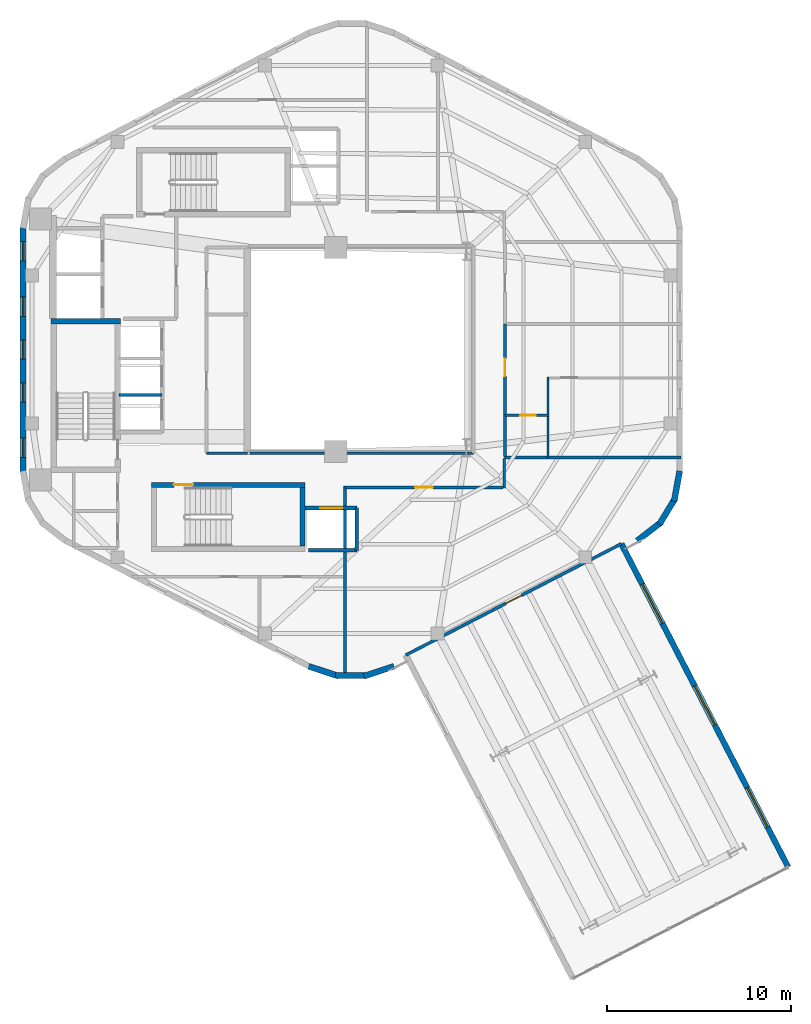
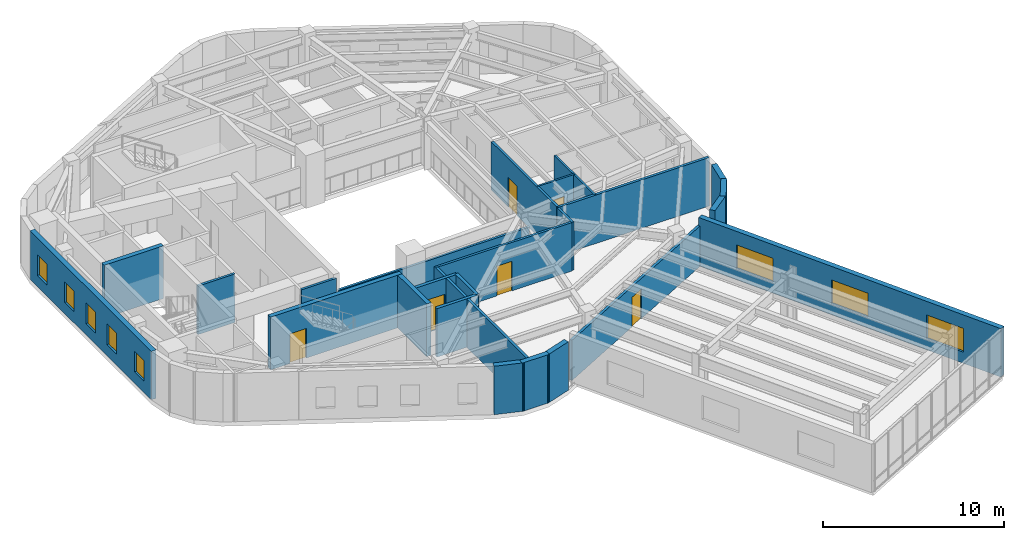
# One storey, part 7 of 10: 25 walls, 8 windows, 6 doors, 14 openings.
"""IFC4 building model written with IfcOpenShell, lengths in metres."""

from ifc_helpers import new_model, si_unit, direction, frame, frame_2d, origin, place, context, subcontext, project, spatial, rectangle, extrude, material, layer, layer_set, type_object, element, fill, save


model = new_model("IFC4")

# Units and contexts
model_context = context("Model", 3, precision=1e-05, world=origin(), true_north=direction((0.0, 1.0)))
body_context = subcontext(model_context, "Body", "Model", "MODEL_VIEW")
ifc_project = project(units=[si_unit("LENGTHUNIT", "METRE"), si_unit("AREAUNIT", "SQUARE_METRE"), si_unit("VOLUMEUNIT", "CUBIC_METRE"), si_unit("PLANEANGLEUNIT", "RADIAN"), si_unit("MASSUNIT", "GRAM", prefix="KILO"), si_unit("THERMODYNAMICTEMPERATUREUNIT", "KELVIN"), si_unit("POWERUNIT", "WATT")], contexts=[model_context])

# Site, building, storey
site_placement = place(None, origin())
site = spatial("IfcSite", under=ifc_project, at=site_placement, CompositionType="ELEMENT")
building_placement = place(site_placement, origin())
building = spatial("IfcBuilding", under=site, at=building_placement, Name="Skarre Station Tower", CompositionType="ELEMENT")
storey_placement = place(building_placement, frame((0.0, 0.0, 238.35009765625)))
storey = spatial("IfcBuildingStorey", under=building, at=storey_placement, Name="L65", CompositionType="ELEMENT", Elevation=238.35009765625)

# Walls
ifc_material_1 = material(Name="Acoustic Steel-Stud Gypsum Partition", Category="steel")
ifc_layer_1 = layer(ifc_material_1, 0.14990234375, Name="Acoustic Steel-Stud Gypsum Partition")
ifc_layer_set_1 = layer_set([ifc_layer_1], Name="Acoustic Steel-Stud Gypsum Partition")
wall_type_1 = type_object("IfcWallType", Name="Fire-Rated Corridor Acoustic Partition 150", PredefinedType="PARTITIONING", material=ifc_layer_set_1)
wall_1_placement = place(storey_placement, frame((25.320068359375, 18.360107421875, 0.0), z_axis=(0.0, 0.0, 1.0), x_axis=(1.0, 0.0, 0.0)))
element("IfcWall", 1, at=wall_1_placement, inside=storey, type_object=wall_type_1, Name="L65 Interior Partition WL-PT-L65-RC2-S", PredefinedType="PARTITIONING", context=body_context, shape_type="SweptSolid", body=[
    extrude(rectangle(XDim=2.22998046875, YDim=0.14990234375, at=frame_2d((1.114990234375, 0.0))), origin(), (0.0, 0.0, 1.0), 3.260009765625),
])
wall_2_placement = place(storey_placement, frame((27.675048828125, 18.360107421875, 0.0), z_axis=(0.0, 0.0, 1.0), x_axis=(1.0, 0.0, 0.0)))
element("IfcWall", 2, at=wall_2_placement, inside=storey, type_object=wall_type_1, Name="L65 Interior Partition WL-PT-L65-ATRW-S", PredefinedType="PARTITIONING", context=body_context, shape_type="SweptSolid", body=[
    extrude(rectangle(XDim=12.1650390625, YDim=0.14990234375, at=frame_2d((6.08251953125, 0.0))), origin(), (0.0, 0.0, 1.0), 2.40087890625),
])

# Wall, opening, door
wall_3_placement = place(storey_placement, frame((41.56005859375, 18.179931640625, 0.0), z_axis=(0.0, 0.0, 1.0), x_axis=(0.0, 1.0, 0.0)))
wall_3 = element("IfcWall", 3, at=wall_3_placement, inside=storey, type_object=wall_type_1, Name="L65 Interior Partition WL-PT-L65-EW1-CW", PredefinedType="PARTITIONING", context=body_context, shape_type="SweptSolid", body=[
    extrude(rectangle(XDim=7.198974609375, YDim=0.14990234375, at=frame_2d((3.599609375, 0.0))), origin(), (0.0, 0.0, 1.0), 3.260009765625),
])
opening_1_placement = place(wall_3_placement, frame((4.3701171875, 0.0, 0.0)))
opening_1 = element("IfcOpeningElement", 4, at=opening_1_placement, cuts=wall_3, Name="Opening DR-FD60", PredefinedType="OPENING", context=body_context, shape_type="SweptSolid", body=[
    extrude(rectangle(XDim=0.9599609375, YDim=2.0, at=frame_2d((0.47998046875, 1.0))), frame((0.0, 0.0849609375, 0.0), z_axis=(0.0, -1.0, 0.0), x_axis=(1.0, 0.0, 0.0)), (0.0, 0.0, 1.0), 0.169921875),
])
ifc_material_2 = material(Name="Nordic White-Oak Veneer Solid-Core Fire Leaf", Category="wood")
door_type_1 = type_object("IfcDoorType", Name="Corridor Suite Entry Fire Door FD60 960x2150", OperationType="SINGLE_SWING_LEFT", PredefinedType="DOOR", material=ifc_material_2)
door_1_placement = place(opening_1_placement, origin())
door_1 = element("IfcDoor", 5, at=door_1_placement, inside=storey, type_object=door_type_1, Name="L65 EW1 Entry Door", OperationType="SINGLE_SWING_LEFT", OverallHeight=2.0, OverallWidth=0.9599609375, PredefinedType="DOOR", context=body_context, shape_type="SweptSolid", body=[
    extrude(rectangle(XDim=0.9599609375, YDim=2.0, at=frame_2d((0.47998046875, 1.0))), frame((0.0, 0.02490234375, 0.0), z_axis=(0.0, -1.0, 0.0), x_axis=(1.0, 0.0, 0.0)), (0.0, 0.0, 1.0), 0.050048828125),
])
fill(opening_1, door_1)

# Wall
wall_4_placement = place(storey_placement, frame((41.52001953125, 16.4599609375, 0.0), z_axis=(0.0, 0.0, 1.0), x_axis=(0.0, 1.0, 0.0)))
element("IfcWall", 6, at=wall_4_placement, inside=storey, type_object=wall_type_1, Name="L65 Interior Partition WL-PT-L65-CORR-SER", PredefinedType="PARTITIONING", context=body_context, shape_type="SweptSolid", body=[
    extrude(rectangle(XDim=1.60205078125, YDim=0.14990234375, at=frame_2d((0.801025390625, 0.0))), origin(), (0.0, 0.0, 1.0), 3.260009765625),
])

# Wall, opening, door
wall_5_placement = place(storey_placement, frame((32.85009765625, 16.5, 0.0), z_axis=(0.0, 0.0, 1.0), x_axis=(1.0, 0.0, 0.0)))
wall_5 = element("IfcWall", 7, at=wall_5_placement, inside=storey, type_object=wall_type_1, Name="L65 Interior Partition WL-PT-L65-SW1-CW", PredefinedType="PARTITIONING", context=body_context, shape_type="SweptSolid", body=[
    extrude(rectangle(XDim=8.60986328125, YDim=0.14990234375, at=frame_2d((4.304931640625, 0.0))), origin(), (0.0, 0.0, 1.0), 3.260009765625),
])
opening_2_placement = place(wall_5_placement, frame((3.824951171875, 0.0, 0.0)))
opening_2 = element("IfcOpeningElement", 8, at=opening_2_placement, cuts=wall_5, Name="Opening DR-FD60", PredefinedType="OPENING", context=body_context, shape_type="SweptSolid", body=[
    extrude(rectangle(XDim=0.9599609375, YDim=2.0, at=frame_2d((0.47998046875, 1.0))), frame((0.0, 0.0849609375, 0.0), z_axis=(0.0, -1.0, 0.0), x_axis=(1.0, 0.0, 0.0)), (0.0, 0.0, 1.0), 0.169921875),
])
door_2_placement = place(opening_2_placement, origin())
door_2 = element("IfcDoor", 9, at=door_2_placement, inside=storey, type_object=door_type_1, Name="L65 SW1 Entry Door", OperationType="SINGLE_SWING_LEFT", OverallHeight=2.0, OverallWidth=0.9599609375, PredefinedType="DOOR", context=body_context, shape_type="SweptSolid", body=[
    extrude(rectangle(XDim=0.9599609375, YDim=2.0, at=frame_2d((0.47998046875, 1.0))), frame((0.0, 0.02490234375, 0.0), z_axis=(0.0, -1.0, 0.0), x_axis=(1.0, 0.0, 0.0)), (0.0, 0.0, 1.0), 0.050048828125),
])
fill(opening_2, door_2)

# Wall
ifc_material_3 = material(Name="Insulated Timber-Stud Gypsum Partition", Category="wood")
ifc_layer_2 = layer(ifc_material_3, 0.1201171875, Name="Insulated Timber-Stud Gypsum Partition")
ifc_layer_set_2 = layer_set([ifc_layer_2], Name="Insulated Timber-Stud Gypsum Partition")
wall_type_2 = type_object("IfcWallType", Name="Internal Suite Acoustic Partition 120", PredefinedType="PARTITIONING", material=ifc_layer_set_2)
wall_6_placement = place(storey_placement, frame((43.89990234375, 18.1298828125, 0.0), z_axis=(0.0, 0.0, 1.0), x_axis=(0.0, 1.0, 0.0)))
element("IfcWall", 10, at=wall_6_placement, inside=storey, type_object=wall_type_2, Name="L65 Interior Partition WL-PT-L65-EW1-BW1", PredefinedType="PARTITIONING", context=body_context, shape_type="SweptSolid", body=[
    extrude(rectangle(XDim=4.38916015625, YDim=0.1201171875, at=frame_2d((2.194580078125, 0.0))), origin(), (0.0, 0.0, 1.0), 3.260009765625),
])

# Wall, opening, door
wall_7_placement = place(storey_placement, frame((43.9599609375, 20.429931640625, 0.0), z_axis=(0.0, 0.0, 1.0), x_axis=(-1.0, 0.0, 0.0)))
wall_7 = element("IfcWall", 11, at=wall_7_placement, inside=storey, type_object=wall_type_2, Name="L65 Interior Partition WL-PT-L65-EW1-BW2", PredefinedType="PARTITIONING", context=body_context, shape_type="SweptSolid", body=[
    extrude(rectangle(XDim=2.409912109375, YDim=0.1201171875, at=frame_2d((1.205078125, 0.0))), origin(), (0.0, 0.0, 1.0), 3.260009765625),
])
opening_3_placement = place(wall_7_placement, frame((0.719970703125, 0.0, 0.0)))
opening_3 = element("IfcOpeningElement", 12, at=opening_3_placement, cuts=wall_7, Name="Opening DR-INT86", PredefinedType="OPENING", context=body_context, shape_type="SweptSolid", body=[
    extrude(rectangle(XDim=0.860107421875, YDim=2.0, at=frame_2d((0.43017578125, 1.0))), frame((0.0, 0.070068359375, 0.0), z_axis=(0.0, -1.0, 0.0), x_axis=(1.0, 0.0, 0.0)), (0.0, 0.0, 1.0), 0.14013671875),
])
ifc_material_4 = material(Name="Nordic Birch Acoustic Solid-Core Timber Leaf", Category="wood")
door_type_2 = type_object("IfcDoorType", Name="Internal En-Suite & Bedroom Door 860x2100", OperationType="SINGLE_SWING_LEFT", PredefinedType="DOOR", material=ifc_material_4)
door_3_placement = place(opening_3_placement, origin())
door_3 = element("IfcDoor", 13, at=door_3_placement, inside=storey, type_object=door_type_2, Name="L65 EW1 Residence Bathroom Door", OperationType="SINGLE_SWING_LEFT", OverallHeight=2.0, OverallWidth=0.860107421875, PredefinedType="DOOR", context=body_context, shape_type="SweptSolid", body=[
    extrude(rectangle(XDim=0.860107421875, YDim=2.0, at=frame_2d((0.43017578125, 1.0))), frame((0.0, 0.02490234375, 0.0), z_axis=(0.0, -1.0, 0.0), x_axis=(1.0, 0.0, 0.0)), (0.0, 0.0, 1.0), 0.050048828125),
])
fill(opening_3, door_3)

# Walls
ifc_material_5 = material(Name="Precast concrete C45/55", Category="concrete")
ifc_layer_3 = layer(ifc_material_5, 0.330078125, Name="Precast concrete C45/55")
ifc_layer_set_3 = layer_set([ifc_layer_3], Name="Precast concrete C45/55")
wall_type_3 = type_object("IfcWallType", Name="Nordic Rounded Corner Precast Wall 330", PredefinedType="STANDARD", material=ifc_layer_set_3)
wall_8_placement = place(storey_placement, frame((35.51806640625, 6.76904296875, 0.0), z_axis=(0.0, 0.0, 1.0), x_axis=(-0.949713440491, -0.313120393699, 0.0)))
element("IfcWall", 14, at=wall_8_placement, inside=storey, type_object=wall_type_3, Name="L65 Rounded Corner Precast Wall F4-1", PredefinedType="STANDARD", context=body_context, shape_type="SweptSolid", body=[
    extrude(rectangle(XDim=1.7216796875, YDim=0.330078125, at=frame_2d((0.86083984375, 0.0))), origin(), (0.0, 0.0, 1.0), 3.260009765625),
])
wall_9_placement = place(storey_placement, frame((34.06103515625, 6.259033203125, 0.0), z_axis=(0.0, 0.0, 1.0), x_axis=(-1.0, 0.0, 0.0)))
element("IfcWall", 15, at=wall_9_placement, inside=storey, type_object=wall_type_3, Name="L65 Rounded Corner Precast Wall F4-2", PredefinedType="STANDARD", context=body_context, shape_type="SweptSolid", body=[
    extrude(rectangle(XDim=1.721923828125, YDim=0.330078125, at=frame_2d((0.86083984375, 0.0))), origin(), (0.0, 0.0, 1.0), 3.260009765625),
])
wall_10_placement = place(storey_placement, frame((32.51708984375, 6.22998046875, 0.0), z_axis=(0.0, 0.0, 1.0), x_axis=(-0.949713440491, 0.313120393699, 0.0)))
element("IfcWall", 16, at=wall_10_placement, inside=storey, type_object=wall_type_3, Name="L65 Rounded Corner Precast Wall F4-3", PredefinedType="STANDARD", context=body_context, shape_type="SweptSolid", body=[
    extrude(rectangle(XDim=1.7216796875, YDim=0.330078125, at=frame_2d((0.86083984375, 0.0))), origin(), (0.0, 0.0, 1.0), 3.260009765625),
])
wall_11_placement = place(storey_placement, frame((51.06201171875, 17.39208984375, 0.0), z_axis=(0.0, 0.0, 1.0), x_axis=(-0.180691763044, -0.983539773862, 0.0)))
element("IfcWall", 17, at=wall_11_placement, inside=storey, type_object=wall_type_3, Name="L65 Rounded Corner Precast Wall F5-1", PredefinedType="STANDARD", context=body_context, shape_type="SweptSolid", body=[
    extrude(rectangle(XDim=1.6767578125, YDim=0.330078125, at=frame_2d((0.83837890625, 0.0))), origin(), (0.0, 0.0, 1.0), 3.260009765625),
])
wall_12_placement = place(storey_placement, frame((50.825927734375, 15.91796875, 0.0), z_axis=(0.0, 0.0, 1.0), x_axis=(-0.520325409202, -0.853968072318, 0.0)))
element("IfcWall", 18, at=wall_12_placement, inside=storey, type_object=wall_type_3, Name="L65 Rounded Corner Precast Wall F5-2", PredefinedType="STANDARD", context=body_context, shape_type="SweptSolid", body=[
    extrude(rectangle(XDim=1.677978515625, YDim=0.330078125, at=frame_2d((0.8388671875, 0.0))), origin(), (0.0, 0.0, 1.0), 3.260009765625),
])
wall_13_placement = place(storey_placement, frame((50.077880859375, 14.625, 0.0), z_axis=(0.0, 0.0, 1.0), x_axis=(-0.790691856293, -0.61221433207, 0.0)))
element("IfcWall", 19, at=wall_13_placement, inside=storey, type_object=wall_type_3, Name="L65 Rounded Corner Precast Wall F5-3", PredefinedType="STANDARD", context=body_context, shape_type="SweptSolid", body=[
    extrude(rectangle(XDim=1.67578125, YDim=0.330078125, at=frame_2d((0.837890625, 0.0))), origin(), (0.0, 0.0, 1.0), 3.260009765625),
])

# Wall, openings, windows
ifc_layer_4 = layer(ifc_material_5, 0.31005859375, Name="Precast concrete C45/55")
ifc_layer_set_4 = layer_set([ifc_layer_4], Name="Precast concrete C45/55")
wall_type_4 = type_object("IfcWallType", Name="Nordic Upper-Zone Precast Facet Wall 310", PredefinedType="STANDARD", material=ifc_layer_set_4)
wall_14_placement = place(storey_placement, frame((15.342041015625, 17.298095703125, 0.0), z_axis=(0.0, 0.0, 1.0), x_axis=(0.0, 1.0, 0.0)))
wall_14 = element("IfcWall", 20, at=wall_14_placement, inside=storey, type_object=wall_type_4, Name="L65 Facet 2 Nordic Precast Masonry Wall", PredefinedType="STANDARD", context=body_context, shape_type="SweptSolid", body=[
    extrude(rectangle(XDim=13.40380859375, YDim=0.31005859375, at=frame_2d((6.701904296875, 0.0))), origin(), (0.0, 0.0, 1.0), 3.260009765625),
])
opening_4_placement = place(wall_14_placement, frame((0.8310546875, 0.0, 0.75)))
opening_4 = element("IfcOpeningElement", 21, at=opening_4_placement, cuts=wall_14, Name="Opening WN-SLT", PredefinedType="OPENING", context=body_context, shape_type="SweptSolid", body=[
    extrude(rectangle(XDim=1.050048828125, YDim=1.39990234375, at=frame_2d((0.52490234375, 0.699951171875))), frame((0.0, 0.1650390625, 0.0), z_axis=(0.0, -1.0, 0.0), x_axis=(1.0, 0.0, 0.0)), (0.0, 0.0, 1.0), 0.330078125),
])
opening_5_placement = place(wall_14_placement, frame((3.843017578125, 0.0, 0.75)))
opening_5 = element("IfcOpeningElement", 22, at=opening_5_placement, cuts=wall_14, Name="Opening WN-SLT", PredefinedType="OPENING", context=body_context, shape_type="SweptSolid", body=[
    extrude(rectangle(XDim=1.050048828125, YDim=1.39990234375, at=frame_2d((0.52490234375, 0.699951171875))), frame((0.0, 0.1650390625, 0.0), z_axis=(0.0, -1.0, 0.0), x_axis=(1.0, 0.0, 0.0)), (0.0, 0.0, 1.0), 0.330078125),
])
opening_6_placement = place(wall_14_placement, frame((6.177001953125, 0.0, 0.75)))
opening_6 = element("IfcOpeningElement", 23, at=opening_6_placement, cuts=wall_14, Name="Opening WN-SLT", PredefinedType="OPENING", context=body_context, shape_type="SweptSolid", body=[
    extrude(rectangle(XDim=1.050048828125, YDim=1.39990234375, at=frame_2d((0.52490234375, 0.699951171875))), frame((0.0, 0.1650390625, 0.0), z_axis=(0.0, -1.0, 0.0), x_axis=(1.0, 0.0, 0.0)), (0.0, 0.0, 1.0), 0.330078125),
])
opening_7_placement = place(wall_14_placement, frame((8.510986328125, 0.0, 0.75)))
opening_7 = element("IfcOpeningElement", 24, at=opening_7_placement, cuts=wall_14, Name="Opening WN-SLT", PredefinedType="OPENING", context=body_context, shape_type="SweptSolid", body=[
    extrude(rectangle(XDim=1.050048828125, YDim=1.39990234375, at=frame_2d((0.52490234375, 0.699951171875))), frame((0.0, 0.1650390625, 0.0), z_axis=(0.0, -1.0, 0.0), x_axis=(1.0, 0.0, 0.0)), (0.0, 0.0, 1.0), 0.330078125),
])
opening_8_placement = place(wall_14_placement, frame((11.52392578125, 0.0, 0.75)))
opening_8 = element("IfcOpeningElement", 25, at=opening_8_placement, cuts=wall_14, Name="Opening WN-SLT", PredefinedType="OPENING", context=body_context, shape_type="SweptSolid", body=[
    extrude(rectangle(XDim=1.050048828125, YDim=1.39990234375, at=frame_2d((0.52490234375, 0.699951171875))), frame((0.0, 0.1650390625, 0.0), z_axis=(0.0, -1.0, 0.0), x_axis=(1.0, 0.0, 0.0)), (0.0, 0.0, 1.0), 0.330078125),
])
ifc_material_6 = material(Name="Low-Iron Triple Glazing with Bronze Anodized Frame", Category="glass")
window_type_1 = type_object("IfcWindowType", Name="Nordic Corner Slot Window 1050x1400", PartitioningType="SINGLE_PANEL", PredefinedType="WINDOW", material=ifc_material_6)
window_1_placement = place(opening_4_placement, origin())
window_1 = element("IfcWindow", 26, at=window_1_placement, inside=storey, type_object=window_type_1, Name="L65 Facade Window WL-FAC-L65-F2-1", OverallHeight=1.39990234375, OverallWidth=1.050048828125, PartitioningType="SINGLE_PANEL", PredefinedType="WINDOW", context=body_context, shape_type="SweptSolid", body=[
    extrude(rectangle(XDim=1.050048828125, YDim=1.39990234375, at=frame_2d((0.52490234375, 0.699951171875))), frame((0.0, 0.030029296875, 0.0), z_axis=(0.0, -1.0, 0.0), x_axis=(1.0, 0.0, 0.0)), (0.0, 0.0, 1.0), 0.06005859375),
])
fill(opening_4, window_1)
window_2_placement = place(opening_5_placement, origin())
window_2 = element("IfcWindow", 27, at=window_2_placement, inside=storey, type_object=window_type_1, Name="L65 Facade Window WL-FAC-L65-F2-2", OverallHeight=1.39990234375, OverallWidth=1.050048828125, PartitioningType="SINGLE_PANEL", PredefinedType="WINDOW", context=body_context, shape_type="SweptSolid", body=[
    extrude(rectangle(XDim=1.050048828125, YDim=1.39990234375, at=frame_2d((0.52490234375, 0.699951171875))), frame((0.0, 0.030029296875, 0.0), z_axis=(0.0, -1.0, 0.0), x_axis=(1.0, 0.0, 0.0)), (0.0, 0.0, 1.0), 0.06005859375),
])
fill(opening_5, window_2)
window_3_placement = place(opening_6_placement, origin())
window_3 = element("IfcWindow", 28, at=window_3_placement, inside=storey, type_object=window_type_1, Name="L65 Facade Window WL-FAC-L65-F2-3", OverallHeight=1.39990234375, OverallWidth=1.050048828125, PartitioningType="SINGLE_PANEL", PredefinedType="WINDOW", context=body_context, shape_type="SweptSolid", body=[
    extrude(rectangle(XDim=1.050048828125, YDim=1.39990234375, at=frame_2d((0.52490234375, 0.699951171875))), frame((0.0, 0.030029296875, 0.0), z_axis=(0.0, -1.0, 0.0), x_axis=(1.0, 0.0, 0.0)), (0.0, 0.0, 1.0), 0.06005859375),
])
fill(opening_6, window_3)
window_4_placement = place(opening_7_placement, origin())
window_4 = element("IfcWindow", 29, at=window_4_placement, inside=storey, type_object=window_type_1, Name="L65 Facade Window WL-FAC-L65-F2-4", OverallHeight=1.39990234375, OverallWidth=1.050048828125, PartitioningType="SINGLE_PANEL", PredefinedType="WINDOW", context=body_context, shape_type="SweptSolid", body=[
    extrude(rectangle(XDim=1.050048828125, YDim=1.39990234375, at=frame_2d((0.52490234375, 0.699951171875))), frame((0.0, 0.030029296875, 0.0), z_axis=(0.0, -1.0, 0.0), x_axis=(1.0, 0.0, 0.0)), (0.0, 0.0, 1.0), 0.06005859375),
])
fill(opening_7, window_4)
window_5_placement = place(opening_8_placement, origin())
window_5 = element("IfcWindow", 30, at=window_5_placement, inside=storey, type_object=window_type_1, Name="L65 Facade Window WL-FAC-L65-F2-5", OverallHeight=1.39990234375, OverallWidth=1.050048828125, PartitioningType="SINGLE_PANEL", PredefinedType="WINDOW", context=body_context, shape_type="SweptSolid", body=[
    extrude(rectangle(XDim=1.050048828125, YDim=1.39990234375, at=frame_2d((0.52490234375, 0.699951171875))), frame((0.0, 0.030029296875, 0.0), z_axis=(0.0, -1.0, 0.0), x_axis=(1.0, 0.0, 0.0)), (0.0, 0.0, 1.0), 0.06005859375),
])
fill(opening_8, window_5)

wall_15_placement = place(storey_placement, frame((47.887939453125, 13.43310546875, 0.0), z_axis=(0.0, 0.0, 1.0), x_axis=(0.458693173014, -0.888594718097, 0.0)))
wall_15 = element("IfcWall", 31, at=wall_15_placement, inside=storey, type_object=wall_type_4, Name="L65 SB-5 Side 2 Precast Wall", PredefinedType="STANDARD", context=body_context, shape_type="SweptSolid", body=[
    extrude(rectangle(XDim=19.7998046875, YDim=0.31005859375, at=frame_2d((9.89990234375, 0.0))), origin(), (0.0, 0.0, 1.0), 3.260009765625),
])
opening_9_placement = place(wall_15_placement, frame((2.467041015625, 0.0, 0.75)))
opening_9 = element("IfcOpeningElement", 32, at=opening_9_placement, cuts=wall_15, Name="Opening WN-Z4A", PredefinedType="OPENING", context=body_context, shape_type="SweptSolid", body=[
    extrude(rectangle(XDim=2.39990234375, YDim=1.60009765625, at=frame_2d((1.199951171875, 0.800048828125))), frame((0.0, 0.1650390625, 0.0), z_axis=(0.0, -1.0, 0.0), x_axis=(1.0, 0.0, 0.0)), (0.0, 0.0, 1.0), 0.330078125),
])
opening_10_placement = place(wall_15_placement, frame((8.699951171875, 0.0, 0.75)))
opening_10 = element("IfcOpeningElement", 33, at=opening_10_placement, cuts=wall_15, Name="Opening WN-Z4A", PredefinedType="OPENING", context=body_context, shape_type="SweptSolid", body=[
    extrude(rectangle(XDim=2.39990234375, YDim=1.60009765625, at=frame_2d((1.199951171875, 0.800048828125))), frame((0.0, 0.1650390625, 0.0), z_axis=(0.0, -1.0, 0.0), x_axis=(1.0, 0.0, 0.0)), (0.0, 0.0, 1.0), 0.330078125),
])
opening_11_placement = place(wall_15_placement, frame((14.93310546875, 0.0, 0.75)))
opening_11 = element("IfcOpeningElement", 34, at=opening_11_placement, cuts=wall_15, Name="Opening WN-Z4A", PredefinedType="OPENING", context=body_context, shape_type="SweptSolid", body=[
    extrude(rectangle(XDim=2.39990234375, YDim=1.60009765625, at=frame_2d((1.199951171875, 0.800048828125))), frame((0.0, 0.1650390625, 0.0), z_axis=(0.0, -1.0, 0.0), x_axis=(1.0, 0.0, 0.0)), (0.0, 0.0, 1.0), 0.330078125),
])
window_type_2 = type_object("IfcWindowType", Name="Nordic Crown Panorama Window 2400x1600", PartitioningType="SINGLE_PANEL", PredefinedType="WINDOW", material=ifc_material_6)
window_6_placement = place(opening_9_placement, origin())
window_6 = element("IfcWindow", 35, at=window_6_placement, inside=storey, type_object=window_type_2, Name="L65 Facade Window WL-SB-5-L65-S2-1", OverallHeight=1.60009765625, OverallWidth=2.39990234375, PartitioningType="SINGLE_PANEL", PredefinedType="WINDOW", context=body_context, shape_type="SweptSolid", body=[
    extrude(rectangle(XDim=2.39990234375, YDim=1.60009765625, at=frame_2d((1.199951171875, 0.800048828125))), frame((0.0, 0.030029296875, 0.0), z_axis=(0.0, -1.0, 0.0), x_axis=(1.0, 0.0, 0.0)), (0.0, 0.0, 1.0), 0.06005859375),
])
fill(opening_9, window_6)
window_7_placement = place(opening_10_placement, origin())
window_7 = element("IfcWindow", 36, at=window_7_placement, inside=storey, type_object=window_type_2, Name="L65 Facade Window WL-SB-5-L65-S2-2", OverallHeight=1.60009765625, OverallWidth=2.39990234375, PartitioningType="SINGLE_PANEL", PredefinedType="WINDOW", context=body_context, shape_type="SweptSolid", body=[
    extrude(rectangle(XDim=2.39990234375, YDim=1.60009765625, at=frame_2d((1.199951171875, 0.800048828125))), frame((0.0, 0.030029296875, 0.0), z_axis=(0.0, -1.0, 0.0), x_axis=(1.0, 0.0, 0.0)), (0.0, 0.0, 1.0), 0.06005859375),
])
fill(opening_10, window_7)
window_8_placement = place(opening_11_placement, origin())
window_8 = element("IfcWindow", 37, at=window_8_placement, inside=storey, type_object=window_type_2, Name="L65 Facade Window WL-SB-5-L65-S2-3", OverallHeight=1.60009765625, OverallWidth=2.39990234375, PartitioningType="SINGLE_PANEL", PredefinedType="WINDOW", context=body_context, shape_type="SweptSolid", body=[
    extrude(rectangle(XDim=2.39990234375, YDim=1.60009765625, at=frame_2d((1.199951171875, 0.800048828125))), frame((0.0, 0.030029296875, 0.0), z_axis=(0.0, -1.0, 0.0), x_axis=(1.0, 0.0, 0.0)), (0.0, 0.0, 1.0), 0.06005859375),
])
fill(opening_11, window_8)

# Wall
ifc_material_7 = material(Name="Concrete C50/60", Category="concrete")
ifc_layer_5 = layer(ifc_material_7, 0.280029296875, Name="Concrete C50/60")
ifc_layer_set_5 = layer_set([ifc_layer_5], Name="Concrete C50/60")
wall_type_5 = type_object("IfcWallType", Name="RC Core Shear Wall 280", PredefinedType="SHEAR", material=ifc_layer_set_5)
wall_16_placement = place(storey_placement, frame((20.6298828125, 25.5400390625, 0.0), z_axis=(0.0, 0.0, 1.0), x_axis=(-1.0, 0.0, 0.0)))
element("IfcWall", 38, at=wall_16_placement, inside=storey, type_object=wall_type_5, Name="L65 Stair ST-1 North Shear Wall", PredefinedType="SHEAR", context=body_context, shape_type="SweptSolid", body=[
    extrude(rectangle(XDim=3.759765625, YDim=0.280029296875, at=frame_2d((1.8798828125, 0.0))), origin(), (0.0, 0.0, 1.0), 3.5498046875),
])

# Wall, opening, door
wall_17_placement = place(storey_placement, frame((30.679931640625, 16.639892578125, 0.0), z_axis=(0.0, 0.0, 1.0), x_axis=(-1.0, 0.0, 0.0)))
wall_17 = element("IfcWall", 39, at=wall_17_placement, inside=storey, type_object=wall_type_5, Name="L65 Stair ST-2 North Shear Wall", PredefinedType="SHEAR", context=body_context, shape_type="SweptSolid", body=[
    extrude(rectangle(XDim=8.35986328125, YDim=0.280029296875, at=frame_2d((4.179931640625, 0.0))), origin(), (0.0, 0.0, 1.0), 3.5498046875),
])
opening_12_placement = place(wall_17_placement, frame((6.080078125, 0.0, 0.0)))
opening_12 = element("IfcOpeningElement", 40, at=opening_12_placement, cuts=wall_17, Name="Opening DR-FD90", PredefinedType="OPENING", context=body_context, shape_type="SweptSolid", body=[
    extrude(rectangle(XDim=1.050048828125, YDim=2.0, at=frame_2d((0.52490234375, 1.0))), frame((0.0, 0.14990234375, 0.0), z_axis=(0.0, -1.0, 0.0), x_axis=(1.0, 0.0, 0.0)), (0.0, 0.0, 1.0), 0.300048828125),
])
ifc_material_8 = material(Name="Fire-Rated Insulated Steel Frame & Timber Core Leaf", Category="steel")
door_type_3 = type_object("IfcDoorType", Name="Stair & FSAE Lobby Fire Door FD90 1050x2150", OperationType="SINGLE_SWING_RIGHT", PredefinedType="DOOR", material=ifc_material_8)
door_4_placement = place(opening_12_placement, origin())
door_4 = element("IfcDoor", 41, at=door_4_placement, inside=storey, type_object=door_type_3, Name="L65 Stair ST-2 Exit Door", OperationType="SINGLE_SWING_RIGHT", OverallHeight=2.0, OverallWidth=1.050048828125, PredefinedType="DOOR", context=body_context, shape_type="SweptSolid", body=[
    extrude(rectangle(XDim=1.050048828125, YDim=2.0, at=frame_2d((0.52490234375, 1.0))), frame((0.0, 0.02490234375, 0.0), z_axis=(0.0, -1.0, 0.0), x_axis=(1.0, 0.0, 0.0)), (0.0, 0.0, 1.0), 0.050048828125),
])
fill(opening_12, door_4)

# Wall
wall_18_placement = place(storey_placement, frame((30.5400390625, 13.300048828125, 0.0), z_axis=(0.0, 0.0, 1.0), x_axis=(0.0, 1.0, 0.0)))
element("IfcWall", 42, at=wall_18_placement, inside=storey, type_object=wall_type_5, Name="L65 Stair ST-2 East Shear Wall", PredefinedType="SHEAR", context=body_context, shape_type="SweptSolid", body=[
    extrude(rectangle(XDim=3.199951171875, YDim=0.280029296875, at=frame_2d((1.60009765625, 0.0))), origin(), (0.0, 0.0, 1.0), 3.5498046875),
])

# Wall, opening, door
ifc_material_9 = material(Name="Gypsum Concrete Shaft Assembly C30/37", Category="concrete")
ifc_layer_6 = layer(ifc_material_9, 0.199951171875, Name="Gypsum Concrete Shaft Assembly C30/37")
ifc_layer_set_6 = layer_set([ifc_layer_6], Name="Gypsum Concrete Shaft Assembly C30/37")
wall_type_6 = type_object("IfcWallType", Name="Shaft & Core Fire Partition 200", PredefinedType="PARTITIONING", material=ifc_layer_set_6)
wall_19_placement = place(storey_placement, frame((33.5, 15.3798828125, 0.0), z_axis=(0.0, 0.0, 1.0), x_axis=(-1.0, 0.0, 0.0)))
wall_19 = element("IfcWall", 43, at=wall_19_placement, inside=storey, type_object=wall_type_6, Name="L65 Interior Partition WL-PT-L65-SV1-N", PredefinedType="PARTITIONING", context=body_context, shape_type="SweptSolid", body=[
    extrude(rectangle(XDim=2.820068359375, YDim=0.199951171875, at=frame_2d((1.41015625, 0.0))), origin(), (0.0, 0.0, 1.0), 3.260009765625),
])
opening_13_placement = place(wall_19_placement, frame((0.800048828125, 0.0, 0.0)))
opening_13 = element("IfcOpeningElement", 44, at=opening_13_placement, cuts=wall_19, Name="Opening LD-SV1", PredefinedType="OPENING", context=body_context, shape_type="SweptSolid", body=[
    extrude(rectangle(XDim=1.199951171875, YDim=2.199951171875, at=frame_2d((0.60009765625, 1.10009765625))), frame((0.0, 0.10986328125, 0.0), z_axis=(0.0, -1.0, 0.0), x_axis=(1.0, 0.0, 0.0)), (0.0, 0.0, 1.0), 0.219970703125),
])
ifc_material_10 = material(Name="Heavy-Gauge Brushed Stainless Steel Sliding Leaves", Category="steel")
door_type_4 = type_object("IfcDoorType", Name="Service Elevator Wide Sliding Landing Door 1200x2200", OperationType="SLIDING_TO_RIGHT", PredefinedType="DOOR", material=ifc_material_10)
door_5_placement = place(opening_13_placement, origin())
door_5 = element("IfcDoor", 45, at=door_5_placement, inside=storey, type_object=door_type_4, Name="L65 Service Lift LF-SV1 Landing Door", OperationType="SLIDING_TO_RIGHT", OverallHeight=2.199951171875, OverallWidth=1.199951171875, PredefinedType="DOOR", context=body_context, shape_type="SweptSolid", body=[
    extrude(rectangle(XDim=1.199951171875, YDim=2.199951171875, at=frame_2d((0.60009765625, 1.10009765625))), frame((0.0, 0.02490234375, 0.0), z_axis=(0.0, -1.0, 0.0), x_axis=(1.0, 0.0, 0.0)), (0.0, 0.0, 1.0), 0.050048828125),
])
fill(opening_13, door_5)

# Walls
wall_20_placement = place(storey_placement, frame((33.5, 13.080078125, 0.0), z_axis=(0.0, 0.0, 1.0), x_axis=(0.0, 1.0, 0.0)))
element("IfcWall", 46, at=wall_20_placement, inside=storey, type_object=wall_type_6, Name="L65 Interior Partition WL-PT-L65-SV1-E", PredefinedType="PARTITIONING", context=body_context, shape_type="SweptSolid", body=[
    extrude(rectangle(XDim=2.2998046875, YDim=0.199951171875, at=frame_2d((1.14990234375, 0.0))), origin(), (0.0, 0.0, 1.0), 3.260009765625),
])
wall_21_placement = place(storey_placement, frame((30.87890625, 13.080078125, 0.0), z_axis=(0.0, 0.0, 1.0), x_axis=(1.0, 0.0, 0.0)))
element("IfcWall", 47, at=wall_21_placement, inside=storey, type_object=wall_type_6, Name="L65 Interior Partition WL-PT-L65-SV1-S", PredefinedType="PARTITIONING", context=body_context, shape_type="SweptSolid", body=[
    extrude(rectangle(XDim=2.62109375, YDim=0.199951171875, at=frame_2d((1.310546875, 0.0))), origin(), (0.0, 0.0, 1.0), 3.260009765625),
])
wall_22_placement = place(storey_placement, frame((20.550048828125, 21.52001953125, 0.0), z_axis=(0.0, 0.0, 1.0), x_axis=(1.0, 0.0, 0.0)))
element("IfcWall", 48, at=wall_22_placement, inside=storey, type_object=wall_type_6, Name="L65 Interior Partition WL-PT-L65-B3-D1", PredefinedType="PARTITIONING", context=body_context, shape_type="SweptSolid", body=[
    extrude(rectangle(XDim=2.349853515625, YDim=0.159912109375, at=frame_2d((1.1748046875, 0.0))), origin(), (0.0, 0.0, 1.0), 3.260009765625),
])
ifc_layer_7 = layer(ifc_material_1, 0.1650390625, Name="Acoustic Steel-Stud Gypsum Partition")
ifc_layer_set_7 = layer_set([ifc_layer_7], Name="Acoustic Steel-Stud Gypsum Partition")
wall_type_7 = type_object("IfcWallType", Name="Suite Demising Acoustic Partition 165", PredefinedType="PARTITIONING", material=ifc_layer_set_7)
wall_23_placement = place(storey_placement, frame((32.85009765625, 6.154052734375, 0.0), z_axis=(0.0, 0.0, 1.0), x_axis=(0.0, 1.0, 0.0)))
element("IfcWall", 49, at=wall_23_placement, inside=storey, type_object=wall_type_7, Name="L65 Interior Partition WL-PT-L65-SWP-E", PredefinedType="PARTITIONING", context=body_context, shape_type="SweptSolid", body=[
    extrude(rectangle(XDim=10.416015625, YDim=0.1650390625, at=frame_2d((5.2080078125, 0.0))), origin(), (0.0, 0.0, 1.0), 3.260009765625),
])
wall_24_placement = place(storey_placement, frame((41.52001953125, 18.139892578125, 0.0), z_axis=(0.0, 0.0, 1.0), x_axis=(1.0, 0.0, 0.0)))
element("IfcWall", 50, at=wall_24_placement, inside=storey, type_object=wall_type_7, Name="L65 Interior Partition WL-PT-L65-EWB-S", PredefinedType="PARTITIONING", context=body_context, shape_type="SweptSolid", body=[
    extrude(rectangle(XDim=9.623046875, YDim=0.1650390625, at=frame_2d((4.8115234375, 0.0))), origin(), (0.0, 0.0, 1.0), 3.260009765625),
])

# Wall, opening, door
wall_25_placement = place(storey_placement, frame((36.157958984375, 7.3779296875, 0.0), z_axis=(0.0, 0.0, 1.0), x_axis=(0.88859001822, 0.458702277648, 0.0)))
wall_25 = element("IfcWall", 51, at=wall_25_placement, inside=storey, type_object=wall_type_7, Name="L65 Interior Partition WL-PT-L65-SB-5-ROOT", PredefinedType="PARTITIONING", context=body_context, shape_type="SweptSolid", body=[
    extrude(rectangle(XDim=13.20068359375, YDim=0.1650390625, at=frame_2d((6.600341796875, 0.0))), origin(), (0.0, 0.0, 1.0), 2.7109375),
])
opening_14_placement = place(wall_25_placement, frame((6.1201171875, 0.0, 0.0)))
opening_14 = element("IfcOpeningElement", 52, at=opening_14_placement, cuts=wall_25, Name="Opening DR-FD60", PredefinedType="OPENING", context=body_context, shape_type="SweptSolid", body=[
    extrude(rectangle(XDim=0.9599609375, YDim=2.0, at=frame_2d((0.47998046875, 1.0))), frame((0.0, 0.092529296875, 0.0), z_axis=(0.0, -1.0, 0.0), x_axis=(1.0, 0.0, 0.0)), (0.0, 0.0, 1.0), 0.18505859375),
])
door_6_placement = place(opening_14_placement, origin())
door_6 = element("IfcDoor", 53, at=door_6_placement, inside=storey, type_object=door_type_1, Name="L65 SB-5 Horizon Salon Door", OperationType="SINGLE_SWING_LEFT", OverallHeight=2.0, OverallWidth=0.9599609375, PredefinedType="DOOR", context=body_context, shape_type="SweptSolid", body=[
    extrude(rectangle(XDim=0.9599609375, YDim=2.0, at=frame_2d((0.47998046875, 1.0))), frame((0.0, 0.02490234375, 0.0), z_axis=(0.0, -1.0, 0.0), x_axis=(1.0, 0.0, 0.0)), (0.0, 0.0, 1.0), 0.050048828125),
])
fill(opening_14, door_6)

save(model, "model.ifc")
